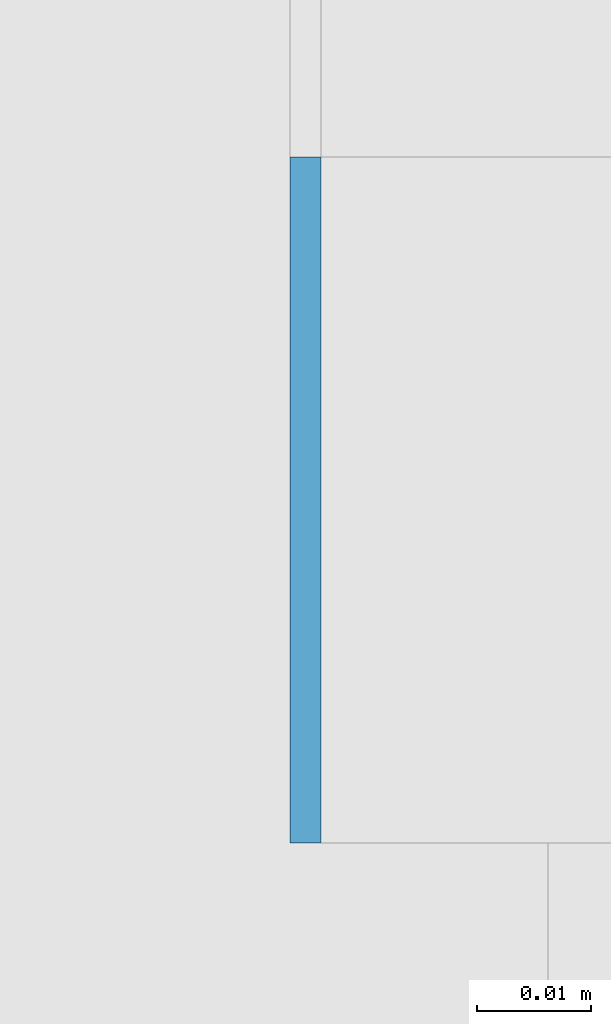
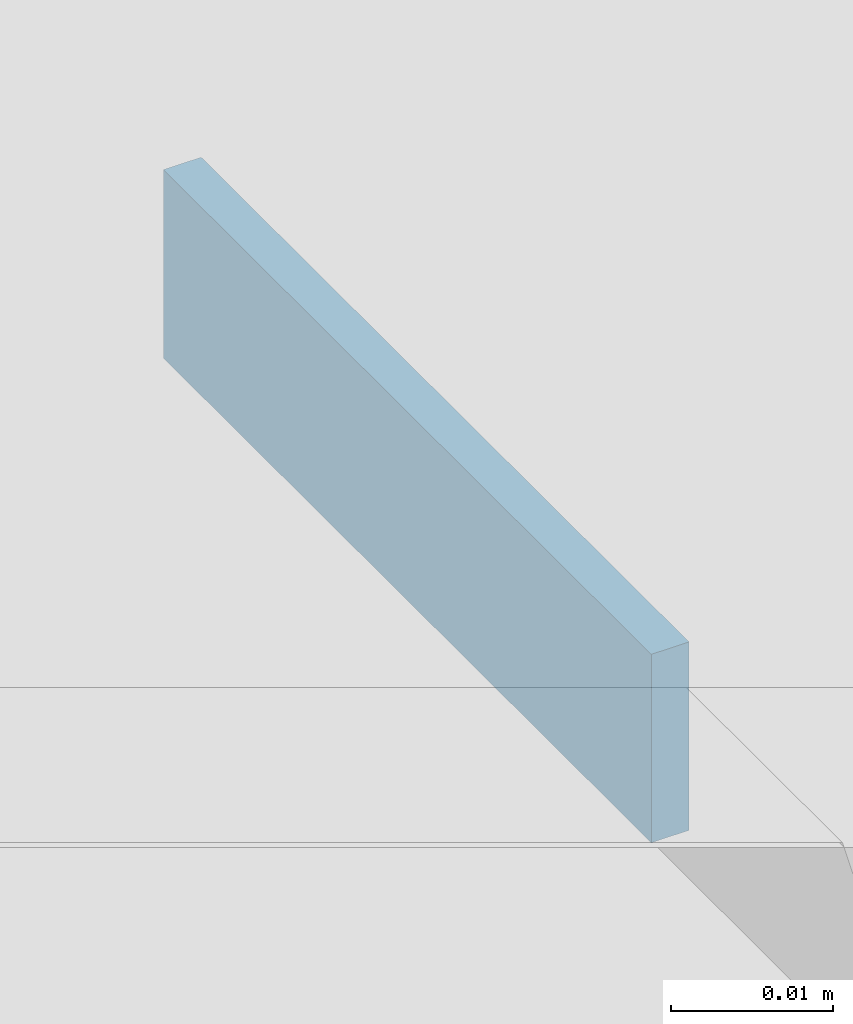
# One storey, part 507 of 646: 1 discrete accessory.
"""IFC4 building model written with IfcOpenShell, lengths in metres."""

import ifcopenshell
import ifcopenshell.guid

model = None  # the IFC model being written
_history = None  # IfcOwnerHistory: only IFC2X3 demands one
_inside = {}  # id of a spatial element -> (the spatial element, [elements in it])
_under = {}  # id of a project, library or spatial element -> (it, [spatial elements below it])
_declared = {}  # id of a project -> (the project, [libraries it declares])
_typed = {}  # id of a type object -> (the type object, [elements of that type])
_made_of = {}  # id of a material, layer set ... -> (it, [elements and type objects made of it])


def new_model(schema):
    """Start an empty IFC model of exactly this schema.

    Asked for "IFC4X3", IfcOpenShell would pick the latest addendum, in which some entities
    have other attributes; the version numbers below select the first issue.
    IFC2X3 requires an IfcOwnerHistory on every rooted entity: one is made here for all.
    """
    global model, _history
    if schema == "IFC4X3":
        model = ifcopenshell.file(schema_version=(4, 3, 0, 0))
    else:
        model = ifcopenshell.file(schema=schema)
    _inside.clear()
    _under.clear()
    _declared.clear()
    _typed.clear()
    _made_of.clear()
    _history = None
    if model.schema == "IFC2X3":
        org = make("IfcOrganization", Name="unknown")
        user = make(
            "IfcPersonAndOrganization",
            ThePerson=make("IfcPerson", FamilyName="unknown"),
            TheOrganization=org,
        )
        app = make(
            "IfcApplication",
            ApplicationDeveloper=org,
            Version="unknown",
            ApplicationFullName="unknown",
            ApplicationIdentifier="unknown",
        )
        _history = make(
            "IfcOwnerHistory",
            OwningUser=user,
            OwningApplication=app,
            ChangeAction="ADDED",
            CreationDate=0,
        )
    return model


def make(cls, **values):
    """One entity of the class cls with the attributes given. An attribute that is None is left unset."""
    return model.create_entity(
        cls, **{name: value for name, value in values.items() if value is not None}
    )


def rooted(cls, **values):
    """An entity with a GlobalId (a new one), such as an element, a storey or a relation."""
    return make(cls, GlobalId=ifcopenshell.guid.new(), OwnerHistory=_history, **values)


def si_unit(unit_type, name, prefix=None):
    """IfcSIUnit, for example si_unit("LENGTHUNIT", "METRE", prefix="MILLI")."""
    return make("IfcSIUnit", UnitType=unit_type, Prefix=prefix, Name=name)


def assignment(units):
    """IfcUnitAssignment: the units of a project."""
    return None if units is None else make("IfcUnitAssignment", Units=units)


def point(xyz):
    """IfcCartesianPoint."""
    return None if xyz is None else make("IfcCartesianPoint", Coordinates=xyz)


def direction(xyz):
    """IfcDirection."""
    return None if xyz is None else make("IfcDirection", DirectionRatios=xyz)


def frame(location, z_axis=None, x_axis=None):
    """IfcAxis2Placement3D, a coordinate frame: its origin and axes. An axis left out is left unset."""
    return make(
        "IfcAxis2Placement3D",
        Location=point(location),
        Axis=direction(z_axis),
        RefDirection=direction(x_axis),
    )


def frame_2d(location, x_axis=None):
    """IfcAxis2Placement2D, a coordinate frame in the plane: its origin and x axis."""
    return make(
        "IfcAxis2Placement2D", Location=point(location), RefDirection=direction(x_axis)
    )


def origin():
    """The frame at (0, 0, 0) with its axes left unset."""
    return frame((0.0, 0.0, 0.0))


def origin_2d():
    """The frame at (0, 0) in the plane with its x axis left unset."""
    return frame_2d((0.0, 0.0))


def place(relative_to, where):
    """IfcLocalPlacement: puts the frame where relative to a parent placement (None: the world)."""
    return make(
        "IfcLocalPlacement", PlacementRelTo=relative_to, RelativePlacement=where
    )


def context(
    kind, dimensions, precision=None, world=None, true_north=None, identifier=None
):
    """IfcGeometricRepresentationContext, for example the 3D "Model" context."""
    return make(
        "IfcGeometricRepresentationContext",
        ContextIdentifier=identifier,
        ContextType=kind,
        CoordinateSpaceDimension=dimensions,
        Precision=precision,
        WorldCoordinateSystem=world,
        TrueNorth=true_north,
    )


def subcontext(parent, identifier, kind, view, scale=None):
    """IfcGeometricRepresentationSubContext, for example "Body" below "Model"."""
    return make(
        "IfcGeometricRepresentationSubContext",
        ContextIdentifier=identifier,
        ContextType=kind,
        ParentContext=parent,
        TargetScale=scale,
        TargetView=view,
    )


def project(units=None, contexts=None):
    """IfcProject with its units and contexts."""
    return rooted(
        "IfcProject",
        Name="project",
        RepresentationContexts=contexts,
        UnitsInContext=assignment(units),
    )


def spatial(cls, under=None, at=None, **own):
    """A site, building, storey or space (cls), placed at a placement, below another one or the project."""
    s = rooted(cls, ObjectPlacement=at, **own)
    if under is not None:
        _under.setdefault(under.id(), (under, []))[1].append(s)
    return s


def profile(cls, at=None, kind="AREA", **sizes):
    """A parametric profile (cls). Its sizes go by their IFC names, for example OverallWidth=200.0."""
    return make(cls, ProfileType=kind, Position=at, **sizes)


def rectangle(**sizes):
    """IfcRectangleProfileDef."""
    return profile("IfcRectangleProfileDef", **sizes)


def extrude(swept, where, along, depth):
    """IfcExtrudedAreaSolid: the profile swept, set in the frame where, extruded along a direction by depth."""
    return make(
        "IfcExtrudedAreaSolid",
        SweptArea=swept,
        Position=where,
        ExtrudedDirection=direction(along),
        Depth=depth,
    )


def shape(context_of_items, identifier, shape_type, items):
    """IfcShapeRepresentation: the items that make up one representation, for example the "Body"."""
    return make(
        "IfcShapeRepresentation",
        ContextOfItems=context_of_items,
        RepresentationIdentifier=identifier,
        RepresentationType=shape_type,
        Items=items,
    )


def material(Name=None, Category=None):
    """IfcMaterial."""
    return make("IfcMaterial", Name=Name, Category=Category)


def made_of(thing, what):
    """Note that an element or type object is made of a material, layer set ...; save() writes the relation."""
    if what is not None:
        _made_of.setdefault(what.id(), (what, []))[1].append(thing)
    return thing


def type_object(cls, material=None, **own):
    """A type object (cls), such as IfcWallType, which elements share."""
    return made_of(rooted(cls, **own), material)


def element(
    cls,
    number,
    at=None,
    inside=None,
    cuts=None,
    type_object=None,
    material=None,
    context=None,
    identifier="Body",
    shape_type=None,
    held_by="IfcProductDefinitionShape",
    body=None,
    shapes=None,
    **own,
):
    """One element of the class cls, such as IfcWall. Its Tag is "e" and its number.

    at: its placement. inside: the storey or other place that contains it. cuts: it is an
    opening in that element (IfcRelVoidsElement). A single representation is given by context,
    identifier, shape_type and body (its items); several are given by shapes. held_by: the class
    of the entity that holds the representations. save() writes the other relations.
    """
    e = rooted(cls, Tag="e%d" % number, ObjectPlacement=at, **own)
    if body is not None:
        shapes = [shape(context, identifier, shape_type, body)]
    if shapes is not None:
        e.Representation = make(held_by, Representations=shapes)
    if inside is not None:
        _inside.setdefault(inside.id(), (inside, []))[1].append(e)
    if cuts is not None:
        rooted(
            "IfcRelVoidsElement", RelatingBuildingElement=cuts, RelatedOpeningElement=e
        )
    if type_object is not None:
        _typed.setdefault(type_object.id(), (type_object, []))[1].append(e)
    return made_of(e, material)


def aggregate(whole, parts):
    """IfcRelAggregates: a whole, such as a stair, and the parts it consists of."""
    return rooted("IfcRelAggregates", RelatingObject=whole, RelatedObjects=parts)


def save(model, path):
    """Write the relations noted so far, then the file.

    IfcRelAggregates (storeys below a building ...), IfcRelContainedInSpatialStructure (elements
    in a storey), IfcRelDefinesByType, IfcRelAssociatesMaterial and IfcRelDeclares: one each for
    every whole, place, type object, material and project.
    """
    for whole, parts in _under.values():
        aggregate(whole, parts)
    for where, things in _inside.values():
        rooted(
            "IfcRelContainedInSpatialStructure",
            RelatedElements=things,
            RelatingStructure=where,
        )
    for kind, things in _typed.values():
        rooted("IfcRelDefinesByType", RelatedObjects=things, RelatingType=kind)
    for what, things in _made_of.values():
        rooted("IfcRelAssociatesMaterial", RelatedObjects=things, RelatingMaterial=what)
    for by, libraries in _declared.values():
        rooted("IfcRelDeclares", RelatingContext=by, RelatedDefinitions=libraries)
    model.write(path)


model = new_model("IFC4")

# Units and contexts
model_context = context("Model", 3, precision=1e-05, world=origin(), true_north=direction((0.0, 1.0)))
body_context = subcontext(model_context, "Body", "Model", "MODEL_VIEW")
ifc_project = project(units=[si_unit("LENGTHUNIT", "METRE"), si_unit("AREAUNIT", "SQUARE_METRE"), si_unit("VOLUMEUNIT", "CUBIC_METRE"), si_unit("PLANEANGLEUNIT", "RADIAN"), si_unit("MASSUNIT", "GRAM", prefix="KILO")], contexts=[model_context])

# Site, building, storey
site_placement = place(None, origin())
site = spatial("IfcSite", under=ifc_project, at=site_placement, CompositionType="ELEMENT")
building_placement = place(site_placement, origin())
building = spatial("IfcBuilding", under=site, at=building_placement, Name="Silverbay Arena", CompositionType="ELEMENT")
storey_placement = place(building_placement, frame((0.0, 0.0, 33.5)))
storey = spatial("IfcBuildingStorey", under=building, at=storey_placement, Name="L05", CompositionType="ELEMENT", Elevation=33.5)

# Discrete accessory
ifc_material = material(Name="Steel S355", Category="steel")
discrete_accessory_type = type_object("IfcDiscreteAccessoryType", Name="Steel bracket plate", PredefinedType="BRACKET", material=ifc_material)
discrete_accessory_placement = place(storey_placement, frame((207.128662109375, 71.969970703125, 12.98583984375), z_axis=(0.0, 0.0, 1.0), x_axis=(1.0, 0.0, 0.0)))
element("IfcDiscreteAccessory", 1, at=discrete_accessory_placement, inside=storey, type_object=discrete_accessory_type, Name="Curtain wall packing plate", PredefinedType="BRACKET", context=body_context, shape_type="SweptSolid", body=[
    extrude(rectangle(XDim=0.002685546875, YDim=0.06005859375, at=origin_2d()), origin(), (0.0, 0.0, 1.0), 0.01416015625),
])

save(model, "model.ifc")
